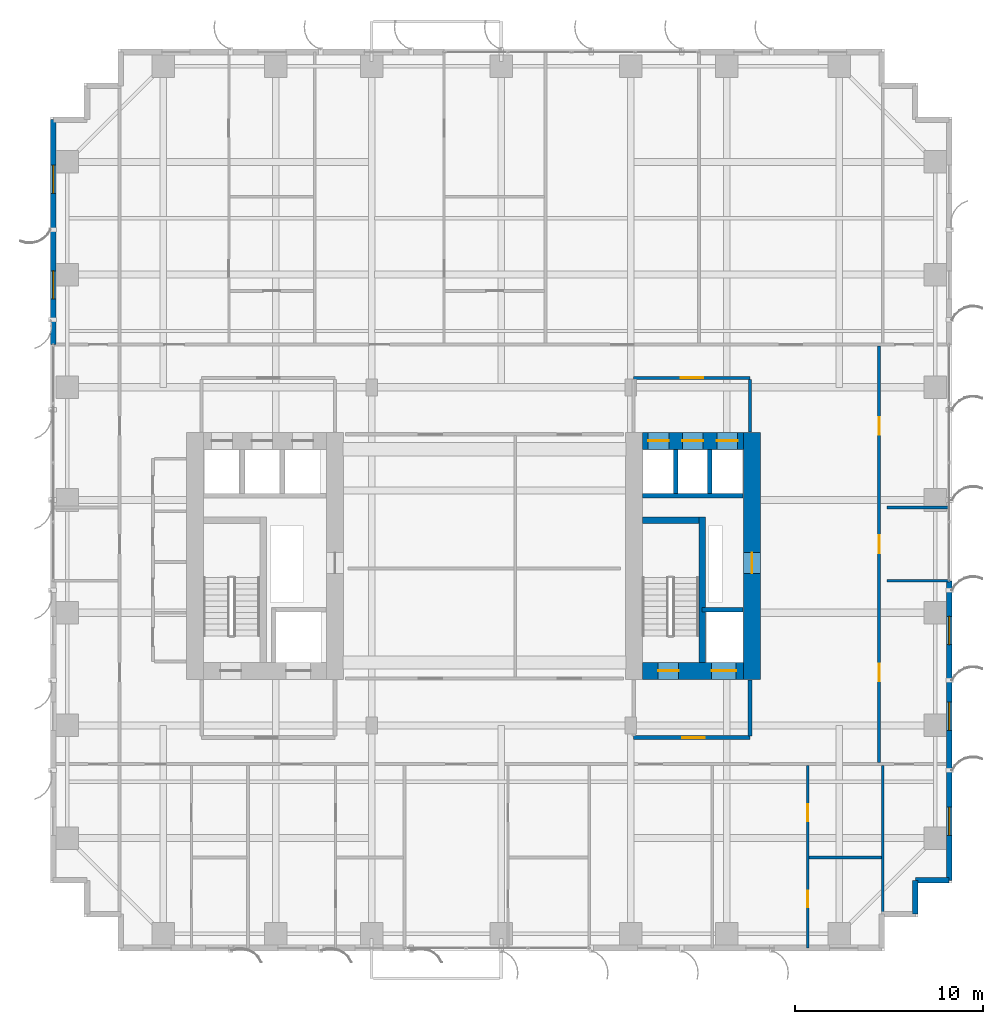
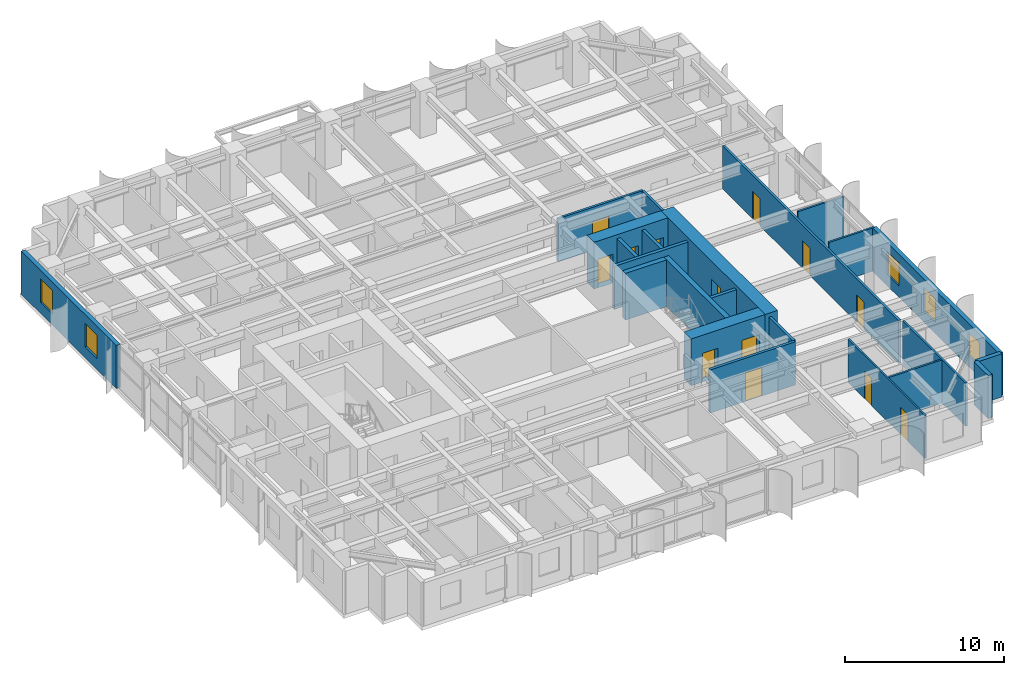
# One storey, part 17 of 22: 23 walls, 13 doors, 5 windows, 18 openings.
"""IFC4 building model written with IfcOpenShell, lengths in metres."""

from ifc_helpers import new_model, si_unit, direction, frame, frame_2d, origin, place, context, subcontext, project, spatial, rectangle, extrude, source, transform, mapped, material, layer, layer_set, type_object, element, fill, save


model = new_model("IFC4")

# Units and contexts
model_context = context("Model", 3, precision=1e-05, world=origin(), true_north=direction((0.0, 1.0)))
body_context = subcontext(model_context, "Body", "Model", "MODEL_VIEW")
ifc_project = project(units=[si_unit("LENGTHUNIT", "METRE"), si_unit("AREAUNIT", "SQUARE_METRE"), si_unit("VOLUMEUNIT", "CUBIC_METRE"), si_unit("PLANEANGLEUNIT", "RADIAN"), si_unit("MASSUNIT", "GRAM", prefix="KILO")], contexts=[model_context])

# Site, building, storey
site_placement = place(None, origin())
site = spatial("IfcSite", under=ifc_project, at=site_placement, CompositionType="ELEMENT")
building_placement = place(site_placement, origin())
building = spatial("IfcBuilding", under=site, at=building_placement, Name="Khoralis Quay Care Tower", CompositionType="ELEMENT")
storey_placement = place(building_placement, frame((0.0, 0.0, 44.10009765625)))
storey = spatial("IfcBuildingStorey", under=building, at=storey_placement, Name="L11", CompositionType="ELEMENT", Elevation=44.10009765625)

# Wall, opening, door
ifc_material_1 = material(Name="Gypsum plasterboard on acoustic metal stud")
ifc_layer_1 = layer(ifc_material_1, 0.199951171875)
ifc_layer_set_1 = layer_set([ifc_layer_1], Name="Gypsum plasterboard on acoustic metal stud")
wall_type_1 = type_object("IfcWallType", Name="WL-COMP-200", PredefinedType="PARTITIONING", material=ifc_layer_set_1)
wall_1_placement = place(storey_placement, frame((31.050048828125, 11.35009765625, 0.0), z_axis=(0.0, 0.0, 1.0), x_axis=(1.0, 0.0, 0.0)))
wall_1 = element("IfcWall", 1, at=wall_1_placement, inside=storey, type_object=wall_type_1, Name="L11 East Firefighting Lobby South Wall", PredefinedType="PARTITIONING", context=body_context, shape_type="SweptSolid", body=[
    extrude(rectangle(XDim=6.199951171875, YDim=0.199951171875, at=frame_2d((3.10009765625, 0.0))), origin(), (0.0, 0.0, 1.0), 3.31982421875),
])
opening_1_placement = place(wall_1_placement, frame((2.585693359375, 0.0, 0.0)))
opening_1 = element("IfcOpeningElement", 2, at=opening_1_placement, cuts=wall_1, Name="Opening FD1", PredefinedType="OPENING", context=body_context, shape_type="SweptSolid", body=[
    extrude(rectangle(XDim=1.199951171875, YDim=2.199951171875, at=frame_2d((0.60009765625, 1.10009765625))), frame((0.0, 0.10986328125, 0.0), z_axis=(0.0, -1.0, 0.0), x_axis=(1.0, 0.0, 0.0)), (0.0, 0.0, 1.0), 0.219970703125),
])
ifc_material_2 = material(Name="Fire-rated painted steel", Category="steel")
door_type_1 = type_object("IfcDoorType", Name="DR-FFL-1200X2200", OperationType="NOTDEFINED", PredefinedType="DOOR", material=ifc_material_2)
shared_shape_1 = source(origin(), body_context, "Body", "SweptSolid", [
    extrude(rectangle(XDim=1.199951171875, YDim=2.199951171875, at=frame_2d((0.60009765625, 1.10009765625))), frame((0.0, 0.02490234375, 0.0), z_axis=(0.0, -1.0, 0.0), x_axis=(1.0, 0.0, 0.0)), (0.0, 0.0, 1.0), 0.050048828125),
])
door_1_placement = place(opening_1_placement, origin())
door_1 = element("IfcDoor", 3, at=door_1_placement, inside=storey, type_object=door_type_1, Name="L11 East Firefighting Lobby Fire Door", OperationType="SINGLE_SWING_RIGHT", OverallHeight=2.199951171875, OverallWidth=1.199951171875, PredefinedType="DOOR", context=body_context, shape_type="MappedRepresentation", body=[
    mapped(shared_shape_1, transform((0.0, 0.0, 0.0), scale=1.0)),
])
fill(opening_1, door_1)

# Wall
wall_2_placement = place(storey_placement, frame((37.25, 11.445068359375, 0.0), z_axis=(0.0, 0.0, 1.0), x_axis=(0.0, 1.0, 0.0)))
element("IfcWall", 4, at=wall_2_placement, inside=storey, type_object=wall_type_1, Name="L11 East Firefighting Lobby East Wall", PredefinedType="PARTITIONING", context=body_context, shape_type="SweptSolid", body=[
    extrude(rectangle(XDim=2.98486328125, YDim=0.199951171875, at=frame_2d((1.492431640625, 0.0))), origin(), (0.0, 0.0, 1.0), 3.31982421875),
])

# Wall, opening, door
ifc_material_3 = material(Name="Concrete C80/95", Category="concrete")
ifc_layer_2 = layer(ifc_material_3, 0.89990234375)
ifc_layer_set_2 = layer_set([ifc_layer_2], Name="Concrete C80/95")
wall_type_2 = type_object("IfcWallType", Name="WL-CORE-900", PredefinedType="SHEAR", material=ifc_layer_set_2)
wall_3_placement = place(storey_placement, frame((37.35009765625, 14.449951171875, 0.0), z_axis=(0.0, 0.0, 1.0), x_axis=(0.0, 1.0, 0.0)))
wall_3 = element("IfcWall", 5, at=wall_3_placement, inside=storey, type_object=wall_type_2, Name="L11 ECORE East Shear Wall", PredefinedType="SHEAR", context=body_context, shape_type="SweptSolid", body=[
    extrude(rectangle(XDim=13.150146484375, YDim=0.89990234375, at=frame_2d((6.5751953125, 0.0))), origin(), (0.0, 0.0, 1.0), 3.599853515625),
])
opening_2_placement = place(wall_3_placement, frame((5.64990234375, 0.0, 0.0)))
opening_2 = element("IfcOpeningElement", 6, at=opening_2_placement, cuts=wall_3, Name="Opening SD1", PredefinedType="OPENING", context=body_context, shape_type="SweptSolid", body=[
    extrude(rectangle(XDim=1.10009765625, YDim=2.199951171875, at=frame_2d((0.550048828125, 1.10009765625))), frame((0.0, 0.4599609375, 0.0), z_axis=(0.0, -1.0, 0.0), x_axis=(1.0, 0.0, 0.0)), (0.0, 0.0, 1.0), 0.919921875),
])
door_type_2 = type_object("IfcDoorType", Name="DR-STAIR-1100X2200", OperationType="NOTDEFINED", PredefinedType="DOOR", material=ifc_material_2)
shared_shape_2 = source(origin(), body_context, "Body", "SweptSolid", [
    extrude(rectangle(XDim=1.10009765625, YDim=2.199951171875, at=frame_2d((0.550048828125, 1.10009765625))), frame((0.0, 0.02490234375, 0.0), z_axis=(0.0, -1.0, 0.0), x_axis=(1.0, 0.0, 0.0)), (0.0, 0.0, 1.0), 0.050048828125),
])
door_2_placement = place(opening_2_placement, frame((1.10009765625, 0.0, 0.0), z_axis=(0.0, 0.0, 1.0), x_axis=(-1.0, 0.0, 0.0)))
door_2 = element("IfcDoor", 7, at=door_2_placement, inside=storey, type_object=door_type_2, Name="L11 East MEP Riser Door", OperationType="SINGLE_SWING_RIGHT", OverallHeight=2.199951171875, OverallWidth=1.10009765625, PredefinedType="DOOR", context=body_context, shape_type="MappedRepresentation", body=[
    mapped(shared_shape_2, transform((0.0, 0.0, 0.0), scale=1.0)),
])
fill(opening_2, door_2)

# Wall, openings, doors
wall_4_placement = place(storey_placement, frame((31.52001953125, 14.89990234375, 0.0), z_axis=(0.0, 0.0, 1.0), x_axis=(1.0, 0.0, 0.0)))
wall_4 = element("IfcWall", 8, at=wall_4_placement, inside=storey, type_object=wall_type_2, Name="L11 ECORE South Shear Wall", PredefinedType="SHEAR", context=body_context, shape_type="SweptSolid", body=[
    extrude(rectangle(XDim=5.3798828125, YDim=0.89990234375, at=frame_2d((2.68994140625, 0.0))), origin(), (0.0, 0.0, 1.0), 3.599853515625),
])
opening_3_placement = place(wall_4_placement, frame((0.830078125, 0.0, 0.0)))
opening_3 = element("IfcOpeningElement", 9, at=opening_3_placement, cuts=wall_4, Name="Opening SD1", PredefinedType="OPENING", context=body_context, shape_type="SweptSolid", body=[
    extrude(rectangle(XDim=1.10009765625, YDim=2.199951171875, at=frame_2d((0.550048828125, 1.10009765625))), frame((0.0, 0.4599609375, 0.0), z_axis=(0.0, -1.0, 0.0), x_axis=(1.0, 0.0, 0.0)), (0.0, 0.0, 1.0), 0.919921875),
])
opening_4_placement = place(wall_4_placement, frame((3.679931640625, 0.0, 0.0)))
opening_4 = element("IfcOpeningElement", 10, at=opening_4_placement, cuts=wall_4, Name="Opening LD2", PredefinedType="OPENING", context=body_context, shape_type="SweptSolid", body=[
    extrude(rectangle(XDim=1.300048828125, YDim=2.199951171875, at=frame_2d((0.64990234375, 1.10009765625))), frame((0.0, 0.4599609375, 0.0), z_axis=(0.0, -1.0, 0.0), x_axis=(1.0, 0.0, 0.0)), (0.0, 0.0, 1.0), 0.919921875),
])
door_3_placement = place(opening_3_placement, origin())
door_3 = element("IfcDoor", 11, at=door_3_placement, inside=storey, type_object=door_type_2, Name="L11 Stair ST-T2 Fire Door", OperationType="SINGLE_SWING_RIGHT", OverallHeight=2.199951171875, OverallWidth=1.10009765625, PredefinedType="DOOR", context=body_context, shape_type="MappedRepresentation", body=[
    mapped(shared_shape_2, transform((0.0, 0.0, 0.0), scale=1.0)),
])
fill(opening_3, door_3)
ifc_material_4 = material(Name="Brushed stainless steel", Category="steel")
door_type_3 = type_object("IfcDoorType", Name="DR-LIFT-1300X2200", OperationType="SLIDING_TO_RIGHT", PredefinedType="DOOR", material=ifc_material_4)
shared_shape_3 = source(origin(), body_context, "Body", "SweptSolid", [
    extrude(rectangle(XDim=1.300048828125, YDim=2.199951171875, at=frame_2d((0.64990234375, 1.10009765625))), frame((0.0, 0.02490234375, 0.0), z_axis=(0.0, -1.0, 0.0), x_axis=(1.0, 0.0, 0.0)), (0.0, 0.0, 1.0), 0.050048828125),
])
door_4_placement = place(opening_4_placement, origin())
door_4 = element("IfcDoor", 12, at=door_4_placement, inside=storey, type_object=door_type_3, Name="L11 Firefighting Lift FFL-2 Landing Door", OperationType="SLIDING_TO_RIGHT", OverallHeight=2.199951171875, OverallWidth=1.300048828125, PredefinedType="DOOR", context=body_context, shape_type="MappedRepresentation", body=[
    mapped(shared_shape_3, transform((0.0, 0.0, 0.0), scale=1.0)),
])
fill(opening_4, door_4)

wall_5_placement = place(storey_placement, frame((31.52001953125, 27.14990234375, 0.0), z_axis=(0.0, 0.0, 1.0), x_axis=(1.0, 0.0, 0.0)))
wall_5 = element("IfcWall", 13, at=wall_5_placement, inside=storey, type_object=wall_type_2, Name="L11 ECORE North Shear Wall", PredefinedType="SHEAR", context=body_context, shape_type="SweptSolid", body=[
    extrude(rectangle(XDim=5.3798828125, YDim=0.89990234375, at=frame_2d((2.68994140625, 0.0))), origin(), (0.0, 0.0, 1.0), 3.599853515625),
])
opening_5_placement = place(wall_5_placement, frame((0.300048828125, 0.0, 0.0)))
opening_5 = element("IfcOpeningElement", 14, at=opening_5_placement, cuts=wall_5, Name="Opening LD1", PredefinedType="OPENING", context=body_context, shape_type="SweptSolid", body=[
    extrude(rectangle(XDim=1.10009765625, YDim=2.199951171875, at=frame_2d((0.550048828125, 1.10009765625))), frame((0.0, 0.4599609375, 0.0), z_axis=(0.0, -1.0, 0.0), x_axis=(1.0, 0.0, 0.0)), (0.0, 0.0, 1.0), 0.919921875),
])
opening_6_placement = place(wall_5_placement, frame((2.1298828125, 0.0, 0.0)))
opening_6 = element("IfcOpeningElement", 15, at=opening_6_placement, cuts=wall_5, Name="Opening LD1", PredefinedType="OPENING", context=body_context, shape_type="SweptSolid", body=[
    extrude(rectangle(XDim=1.10009765625, YDim=2.199951171875, at=frame_2d((0.550048828125, 1.10009765625))), frame((0.0, 0.4599609375, 0.0), z_axis=(0.0, -1.0, 0.0), x_axis=(1.0, 0.0, 0.0)), (0.0, 0.0, 1.0), 0.919921875),
])
opening_7_placement = place(wall_5_placement, frame((3.9599609375, 0.0, 0.0)))
opening_7 = element("IfcOpeningElement", 16, at=opening_7_placement, cuts=wall_5, Name="Opening LD1", PredefinedType="OPENING", context=body_context, shape_type="SweptSolid", body=[
    extrude(rectangle(XDim=1.10009765625, YDim=2.199951171875, at=frame_2d((0.550048828125, 1.10009765625))), frame((0.0, 0.4599609375, 0.0), z_axis=(0.0, -1.0, 0.0), x_axis=(1.0, 0.0, 0.0)), (0.0, 0.0, 1.0), 0.919921875),
])
door_type_4 = type_object("IfcDoorType", Name="DR-LIFT-1100X2200", OperationType="SLIDING_TO_LEFT", PredefinedType="DOOR", material=ifc_material_4)
shared_shape_4 = source(origin(), body_context, "Body", "SweptSolid", [
    extrude(rectangle(XDim=1.10009765625, YDim=2.199951171875, at=frame_2d((0.550048828125, 1.10009765625))), frame((0.0, 0.02490234375, 0.0), z_axis=(0.0, -1.0, 0.0), x_axis=(1.0, 0.0, 0.0)), (0.0, 0.0, 1.0), 0.050048828125),
])
door_5_placement = place(opening_5_placement, origin())
door_5 = element("IfcDoor", 17, at=door_5_placement, inside=storey, type_object=door_type_4, Name="L11 Lift PLL2 Landing Door", OperationType="SLIDING_TO_LEFT", OverallHeight=2.199951171875, OverallWidth=1.10009765625, PredefinedType="DOOR", context=body_context, shape_type="MappedRepresentation", body=[
    mapped(shared_shape_4, transform((0.0, 0.0, 0.0), scale=1.0)),
])
fill(opening_5, door_5)
door_6_placement = place(opening_6_placement, origin())
door_6 = element("IfcDoor", 18, at=door_6_placement, inside=storey, type_object=door_type_4, Name="L11 Lift PLM2 Landing Door", OperationType="SLIDING_TO_LEFT", OverallHeight=2.199951171875, OverallWidth=1.10009765625, PredefinedType="DOOR", context=body_context, shape_type="MappedRepresentation", body=[
    mapped(shared_shape_4, transform((0.0, 0.0, 0.0), scale=1.0)),
])
fill(opening_6, door_6)
door_7_placement = place(opening_7_placement, origin())
door_7 = element("IfcDoor", 19, at=door_7_placement, inside=storey, type_object=door_type_4, Name="L11 Lift PLH2 Landing Door", OperationType="SLIDING_TO_LEFT", OverallHeight=2.199951171875, OverallWidth=1.10009765625, PredefinedType="DOOR", context=body_context, shape_type="MappedRepresentation", body=[
    mapped(shared_shape_4, transform((0.0, 0.0, 0.0), scale=1.0)),
])
fill(opening_7, door_7)

# Wall, opening, door
ifc_layer_3 = layer(ifc_material_1, 0.1650390625)
ifc_layer_set_3 = layer_set([ifc_layer_3], Name="Gypsum plasterboard on acoustic metal stud")
wall_type_3 = type_object("IfcWallType", Name="WL-CORR-165", PredefinedType="PARTITIONING", material=ifc_layer_set_3)
wall_6_placement = place(storey_placement, frame((31.050048828125, 30.5, 0.0), z_axis=(0.0, 0.0, 1.0), x_axis=(1.0, 0.0, 0.0)))
wall_6 = element("IfcWall", 20, at=wall_6_placement, inside=storey, type_object=wall_type_3, Name="L11 East Lift Lobby North Wall", PredefinedType="PARTITIONING", context=body_context, shape_type="SweptSolid", body=[
    extrude(rectangle(XDim=6.199951171875, YDim=0.1650390625, at=frame_2d((3.10009765625, 0.0))), origin(), (0.0, 0.0, 1.0), 3.31982421875),
])
opening_8_placement = place(wall_6_placement, frame((2.5, 0.0, 0.0)))
opening_8 = element("IfcOpeningElement", 21, at=opening_8_placement, cuts=wall_6, Name="Opening FD1", PredefinedType="OPENING", context=body_context, shape_type="SweptSolid", body=[
    extrude(rectangle(XDim=1.199951171875, YDim=2.199951171875, at=frame_2d((0.60009765625, 1.10009765625))), frame((0.0, 0.092529296875, 0.0), z_axis=(0.0, -1.0, 0.0), x_axis=(1.0, 0.0, 0.0)), (0.0, 0.0, 1.0), 0.18505859375),
])
door_8_placement = place(opening_8_placement, origin())
door_8 = element("IfcDoor", 22, at=door_8_placement, inside=storey, type_object=door_type_1, Name="L11 East Lift Lobby Double Door", OperationType="DOUBLE_DOOR_SINGLE_SWING", OverallHeight=2.199951171875, OverallWidth=1.199951171875, PredefinedType="DOOR", context=body_context, shape_type="MappedRepresentation", body=[
    mapped(shared_shape_1, transform((0.0, 0.0, 0.0), scale=1.0)),
])
fill(opening_8, door_8)

# Wall
wall_7_placement = place(storey_placement, frame((37.25, 27.6201171875, 0.0), z_axis=(0.0, 0.0, 1.0), x_axis=(0.0, 1.0, 0.0)))
element("IfcWall", 23, at=wall_7_placement, inside=storey, type_object=wall_type_3, Name="L11 East Lift Lobby East Wall", PredefinedType="PARTITIONING", context=body_context, shape_type="SweptSolid", body=[
    extrude(rectangle(XDim=2.802490234375, YDim=0.1650390625, at=frame_2d((1.4013671875, 0.0))), origin(), (0.0, 0.0, 1.0), 3.31982421875),
])

# Wall, openings, doors
wall_8_placement = place(storey_placement, frame((44.1201171875, 10.017578125, 0.0), z_axis=(0.0, 0.0, 1.0), x_axis=(0.0, 1.0, 0.0)))
wall_8 = element("IfcWall", 24, at=wall_8_placement, inside=storey, type_object=wall_type_3, Name="L11 East Loop Corridor Wall", PredefinedType="PARTITIONING", context=body_context, shape_type="SweptSolid", body=[
    extrude(rectangle(XDim=22.184814453125, YDim=0.1650390625, at=frame_2d((11.09228515625, 0.0))), origin(), (0.0, 0.0, 1.0), 3.31982421875),
])
opening_9_placement = place(wall_8_placement, frame((4.327392578125, 0.0, 0.0)))
opening_9 = element("IfcOpeningElement", 25, at=opening_9_placement, cuts=wall_8, Name="Opening ID1", PredefinedType="OPENING", context=body_context, shape_type="SweptSolid", body=[
    extrude(rectangle(XDim=0.949951171875, YDim=2.10009765625, at=frame_2d((0.47509765625, 1.050048828125))), frame((0.0, 0.092529296875, 0.0), z_axis=(0.0, -1.0, 0.0), x_axis=(1.0, 0.0, 0.0)), (0.0, 0.0, 1.0), 0.18505859375),
])
opening_10_placement = place(wall_8_placement, frame((11.157470703125, 0.0, 0.0)))
opening_10 = element("IfcOpeningElement", 26, at=opening_10_placement, cuts=wall_8, Name="Opening ID1", PredefinedType="OPENING", context=body_context, shape_type="SweptSolid", body=[
    extrude(rectangle(XDim=0.949951171875, YDim=2.10009765625, at=frame_2d((0.47509765625, 1.050048828125))), frame((0.0, 0.092529296875, 0.0), z_axis=(0.0, -1.0, 0.0), x_axis=(1.0, 0.0, 0.0)), (0.0, 0.0, 1.0), 0.18505859375),
])
opening_11_placement = place(wall_8_placement, frame((17.447509765625, 0.0, 0.0)))
opening_11 = element("IfcOpeningElement", 27, at=opening_11_placement, cuts=wall_8, Name="Opening ID1", PredefinedType="OPENING", context=body_context, shape_type="SweptSolid", body=[
    extrude(rectangle(XDim=0.949951171875, YDim=2.10009765625, at=frame_2d((0.47509765625, 1.050048828125))), frame((0.0, 0.092529296875, 0.0), z_axis=(0.0, -1.0, 0.0), x_axis=(1.0, 0.0, 0.0)), (0.0, 0.0, 1.0), 0.18505859375),
])
ifc_material_5 = material(Name="Acoustic hardwood timber", Category="wood")
door_type_5 = type_object("IfcDoorType", Name="DR-ROOM-950X2100", OperationType="NOTDEFINED", PredefinedType="DOOR", material=ifc_material_5)
shared_shape_5 = source(origin(), body_context, "Body", "SweptSolid", [
    extrude(rectangle(XDim=0.949951171875, YDim=2.10009765625, at=frame_2d((0.47509765625, 1.050048828125))), frame((0.0, 0.02490234375, 0.0), z_axis=(0.0, -1.0, 0.0), x_axis=(1.0, 0.0, 0.0)), (0.0, 0.0, 1.0), 0.050048828125),
])
door_9_placement = place(opening_9_placement, frame((0.949951171875, 0.0, 0.0), z_axis=(0.0, 0.0, 1.0), x_axis=(-1.0, 0.0, 0.0)))
door_9 = element("IfcDoor", 28, at=door_9_placement, inside=storey, type_object=door_type_5, Name="L11 Therapy Consultation Room Door", OperationType="SINGLE_SWING_LEFT", OverallHeight=2.10009765625, OverallWidth=0.949951171875, PredefinedType="DOOR", context=body_context, shape_type="MappedRepresentation", body=[
    mapped(shared_shape_5, transform((0.0, 0.0, 0.0), scale=1.0)),
])
fill(opening_9, door_9)
door_10_placement = place(opening_10_placement, frame((0.949951171875, 0.0, 0.0), z_axis=(0.0, 0.0, 1.0), x_axis=(-1.0, 0.0, 0.0)))
door_10 = element("IfcDoor", 29, at=door_10_placement, inside=storey, type_object=door_type_5, Name="L11 Assisted Activity Lounge Door", OperationType="SINGLE_SWING_RIGHT", OverallHeight=2.10009765625, OverallWidth=0.949951171875, PredefinedType="DOOR", context=body_context, shape_type="MappedRepresentation", body=[
    mapped(shared_shape_5, transform((0.0, 0.0, 0.0), scale=1.0)),
])
fill(opening_10, door_10)
door_11_placement = place(opening_11_placement, frame((0.949951171875, 0.0, 0.0), z_axis=(0.0, 0.0, 1.0), x_axis=(-1.0, 0.0, 0.0)))
door_11 = element("IfcDoor", 30, at=door_11_placement, inside=storey, type_object=door_type_5, Name="L11 Nurse Charting Office Door", OperationType="SINGLE_SWING_LEFT", OverallHeight=2.10009765625, OverallWidth=0.949951171875, PredefinedType="DOOR", context=body_context, shape_type="MappedRepresentation", body=[
    mapped(shared_shape_5, transform((0.0, 0.0, 0.0), scale=1.0)),
])
fill(opening_11, door_11)

# Walls
ifc_material_6 = material(Name="Precast concrete C45/55", Category="concrete")
ifc_layer_4 = layer(ifc_material_6, 0.300048828125)
ifc_layer_set_4 = layer_set([ifc_layer_4], Name="Precast concrete C45/55")
wall_type_4 = type_object("IfcWallType", Name="WL-EXT-REF-300", PredefinedType="SOLIDWALL", material=ifc_layer_set_4)
for number, where, z_axis, x_axis, name in (
    (31, (46.050048828125, 1.949951171875, 0.0), (0.0, 0.0, 1.0), (0.0, 1.0, 0.0), "L11 External Facade Wall WL-EXT-L11-P1-C3"),
    (32, (46.050048828125, 3.75, 0.0), (0.0, 0.0, 1.0), (1.0, 0.0, 0.0), "L11 External Facade Wall WL-EXT-L11-P1-C4"),
):
    element("IfcWall", number, at=place(storey_placement, frame(where, z_axis=z_axis, x_axis=x_axis)), inside=storey, type_object=wall_type_4, Name=name, PredefinedType="SOLIDWALL", context=body_context, shape_type="SweptSolid", body=[
        extrude(rectangle(XDim=1.800048828125, YDim=0.300048828125, at=frame_2d((0.89990234375, 0.0))), origin(), (0.0, 0.0, 1.0), 3.31982421875),
    ])

# Wall, openings, windows
wall_9_placement = place(storey_placement, frame((47.85009765625, 3.75, 0.0), z_axis=(0.0, 0.0, 1.0), x_axis=(0.0, 1.0, 0.0)))
wall_9 = element("IfcWall", 33, at=wall_9_placement, inside=storey, type_object=wall_type_4, Name="L11 External Facade Wall WL-EXT-L11-P1-E5A", PredefinedType="SOLIDWALL", context=body_context, shape_type="SweptSolid", body=[
    extrude(rectangle(XDim=15.949951171875, YDim=0.300048828125, at=frame_2d((7.97509765625, 0.0))), origin(), (0.0, 0.0, 1.0), 3.31982421875),
])
opening_12_placement = place(wall_9_placement, frame((2.39501953125, 0.0, 0.85009765625)))
opening_12 = element("IfcOpeningElement", 34, at=opening_12_placement, cuts=wall_9, Name="Opening W3", PredefinedType="OPENING", context=body_context, shape_type="SweptSolid", body=[
    extrude(rectangle(XDim=1.5, YDim=1.800048828125, at=frame_2d((0.75, 0.89990234375))), frame((0.0, 0.16015625, 0.0), z_axis=(0.0, -1.0, 0.0), x_axis=(1.0, 0.0, 0.0)), (0.0, 0.0, 1.0), 0.320068359375),
])
opening_13_placement = place(wall_9_placement, frame((7.985107421875, 0.0, 0.85009765625)))
opening_13 = element("IfcOpeningElement", 35, at=opening_13_placement, cuts=wall_9, Name="Opening W3", PredefinedType="OPENING", context=body_context, shape_type="SweptSolid", body=[
    extrude(rectangle(XDim=1.5, YDim=1.800048828125, at=frame_2d((0.75, 0.89990234375))), frame((0.0, 0.16015625, 0.0), z_axis=(0.0, -1.0, 0.0), x_axis=(1.0, 0.0, 0.0)), (0.0, 0.0, 1.0), 0.320068359375),
])
opening_14_placement = place(wall_9_placement, frame((12.554931640625, 0.0, 0.85009765625)))
opening_14 = element("IfcOpeningElement", 36, at=opening_14_placement, cuts=wall_9, Name="Opening W3", PredefinedType="OPENING", context=body_context, shape_type="SweptSolid", body=[
    extrude(rectangle(XDim=1.5, YDim=1.800048828125, at=frame_2d((0.75, 0.89990234375))), frame((0.0, 0.16015625, 0.0), z_axis=(0.0, -1.0, 0.0), x_axis=(1.0, 0.0, 0.0)), (0.0, 0.0, 1.0), 0.320068359375),
])
ifc_material_7 = material(Name="Low-E solar-control double glazing", Category="glass")
window_type = type_object("IfcWindowType", Name="WN-CLIN-1500X1800", PartitioningType="SINGLE_PANEL", PredefinedType="WINDOW", material=ifc_material_7)
shared_shape_6 = source(origin(), body_context, "Body", "SweptSolid", [
    extrude(rectangle(XDim=1.5, YDim=1.800048828125, at=frame_2d((0.75, 0.89990234375))), frame((0.0, 0.030029296875, 0.0), z_axis=(0.0, -1.0, 0.0), x_axis=(1.0, 0.0, 0.0)), (0.0, 0.0, 1.0), 0.06005859375),
])
window_1_placement = place(opening_12_placement, origin())
window_1 = element("IfcWindow", 37, at=window_1_placement, inside=storey, type_object=window_type, Name="WN-L11-P1-E5A Facade Window 01", OverallHeight=1.800048828125, OverallWidth=1.5, PartitioningType="SINGLE_PANEL", PredefinedType="WINDOW", context=body_context, shape_type="MappedRepresentation", body=[
    mapped(shared_shape_6, transform((0.0, 0.0, 0.0), scale=1.0)),
])
fill(opening_12, window_1)
window_2_placement = place(opening_13_placement, origin())
window_2 = element("IfcWindow", 38, at=window_2_placement, inside=storey, type_object=window_type, Name="WN-L11-P1-E5A Facade Window 02", OverallHeight=1.800048828125, OverallWidth=1.5, PartitioningType="SINGLE_PANEL", PredefinedType="WINDOW", context=body_context, shape_type="MappedRepresentation", body=[
    mapped(shared_shape_6, transform((0.0, 0.0, 0.0), scale=1.0)),
])
fill(opening_13, window_2)
window_3_placement = place(opening_14_placement, origin())
window_3 = element("IfcWindow", 39, at=window_3_placement, inside=storey, type_object=window_type, Name="WN-L11-P1-E5A Facade Window 03", OverallHeight=1.800048828125, OverallWidth=1.5, PartitioningType="SINGLE_PANEL", PredefinedType="WINDOW", context=body_context, shape_type="MappedRepresentation", body=[
    mapped(shared_shape_6, transform((0.0, 0.0, 0.0), scale=1.0)),
])
fill(opening_14, window_3)

wall_10_placement = place(storey_placement, frame((0.14990234375, 44.25, 0.0), z_axis=(0.0, 0.0, 1.0), x_axis=(0.0, -1.0, 0.0)))
wall_10 = element("IfcWall", 40, at=wall_10_placement, inside=storey, type_object=wall_type_4, Name="L11 External Facade Wall WL-EXT-L11-P1-E15A", PredefinedType="SOLIDWALL", context=body_context, shape_type="SweptSolid", body=[
    extrude(rectangle(XDim=11.969970703125, YDim=0.300048828125, at=frame_2d((5.98486328125, 0.0))), origin(), (0.0, 0.0, 1.0), 3.31982421875),
])
opening_15_placement = place(wall_10_placement, frame((2.422607421875, 0.0, 0.85009765625)))
opening_15 = element("IfcOpeningElement", 41, at=opening_15_placement, cuts=wall_10, Name="Opening W3", PredefinedType="OPENING", context=body_context, shape_type="SweptSolid", body=[
    extrude(rectangle(XDim=1.5, YDim=1.800048828125, at=frame_2d((0.75, 0.89990234375))), frame((0.0, 0.16015625, 0.0), z_axis=(0.0, -1.0, 0.0), x_axis=(1.0, 0.0, 0.0)), (0.0, 0.0, 1.0), 0.320068359375),
])
opening_16_placement = place(wall_10_placement, frame((8.047607421875, 0.0, 0.85009765625)))
opening_16 = element("IfcOpeningElement", 42, at=opening_16_placement, cuts=wall_10, Name="Opening W3", PredefinedType="OPENING", context=body_context, shape_type="SweptSolid", body=[
    extrude(rectangle(XDim=1.5, YDim=1.800048828125, at=frame_2d((0.75, 0.89990234375))), frame((0.0, 0.16015625, 0.0), z_axis=(0.0, -1.0, 0.0), x_axis=(1.0, 0.0, 0.0)), (0.0, 0.0, 1.0), 0.320068359375),
])
window_4_placement = place(opening_15_placement, origin())
window_4 = element("IfcWindow", 43, at=window_4_placement, inside=storey, type_object=window_type, Name="WN-L11-P1-E15A Facade Window 01", OverallHeight=1.800048828125, OverallWidth=1.5, PartitioningType="SINGLE_PANEL", PredefinedType="WINDOW", context=body_context, shape_type="MappedRepresentation", body=[
    mapped(shared_shape_6, transform((0.0, 0.0, 0.0), scale=1.0)),
])
fill(opening_15, window_4)
window_5_placement = place(opening_16_placement, origin())
window_5 = element("IfcWindow", 44, at=window_5_placement, inside=storey, type_object=window_type, Name="WN-L11-P1-E15A Facade Window 02", OverallHeight=1.800048828125, OverallWidth=1.5, PartitioningType="SINGLE_PANEL", PredefinedType="WINDOW", context=body_context, shape_type="MappedRepresentation", body=[
    mapped(shared_shape_6, transform((0.0, 0.0, 0.0), scale=1.0)),
])
fill(opening_16, window_5)

# Wall, openings, doors
ifc_layer_5 = layer(ifc_material_1, 0.114990234375)
ifc_layer_set_5 = layer_set([ifc_layer_5], Name="Gypsum plasterboard on acoustic metal stud")
wall_type_5 = type_object("IfcWallType", Name="WL-PART-115", PredefinedType="PARTITIONING", material=ifc_layer_set_5)
wall_11_placement = place(storey_placement, frame((40.320068359375, 0.14501953125, 0.0), z_axis=(0.0, 0.0, 1.0), x_axis=(0.0, 1.0, 0.0)))
wall_11 = element("IfcWall", 45, at=wall_11_placement, inside=storey, type_object=wall_type_5, Name="L11 Studio 4 Internal Wall", PredefinedType="PARTITIONING", context=body_context, shape_type="SweptSolid", body=[
    extrude(rectangle(XDim=9.717529296875, YDim=0.114990234375, at=frame_2d((4.85888671875, 0.0))), origin(), (0.0, 0.0, 1.0), 3.31982421875),
])
opening_17_placement = place(wall_11_placement, frame((2.1650390625, 0.0, 0.0)))
opening_17 = element("IfcOpeningElement", 46, at=opening_17_placement, cuts=wall_11, Name="Opening WD1", PredefinedType="OPENING", context=body_context, shape_type="SweptSolid", body=[
    extrude(rectangle(XDim=0.89990234375, YDim=2.10009765625, at=frame_2d((0.449951171875, 1.050048828125))), frame((0.0, 0.0673828125, 0.0), z_axis=(0.0, -1.0, 0.0), x_axis=(1.0, 0.0, 0.0)), (0.0, 0.0, 1.0), 0.135009765625),
])
opening_18_placement = place(wall_11_placement, frame((6.7451171875, 0.0, 0.0)))
opening_18 = element("IfcOpeningElement", 47, at=opening_18_placement, cuts=wall_11, Name="Opening WD1", PredefinedType="OPENING", context=body_context, shape_type="SweptSolid", body=[
    extrude(rectangle(XDim=0.89990234375, YDim=2.10009765625, at=frame_2d((0.449951171875, 1.050048828125))), frame((0.0, 0.0673828125, 0.0), z_axis=(0.0, -1.0, 0.0), x_axis=(1.0, 0.0, 0.0)), (0.0, 0.0, 1.0), 0.135009765625),
])
door_type_6 = type_object("IfcDoorType", Name="DR-BATH-900X2100", OperationType="NOTDEFINED", PredefinedType="DOOR", material=ifc_material_5)
shared_shape_7 = source(origin(), body_context, "Body", "SweptSolid", [
    extrude(rectangle(XDim=0.89990234375, YDim=2.10009765625, at=frame_2d((0.449951171875, 1.050048828125))), frame((0.0, 0.02490234375, 0.0), z_axis=(0.0, -1.0, 0.0), x_axis=(1.0, 0.0, 0.0)), (0.0, 0.0, 1.0), 0.050048828125),
])
door_12_placement = place(opening_17_placement, frame((0.89990234375, 0.0, 0.0), z_axis=(0.0, 0.0, 1.0), x_axis=(-1.0, 0.0, 0.0)))
door_12 = element("IfcDoor", 48, at=door_12_placement, inside=storey, type_object=door_type_6, Name="L11 Studio SKT Door", OperationType="SINGLE_SWING_RIGHT", OverallHeight=2.10009765625, OverallWidth=0.89990234375, PredefinedType="DOOR", context=body_context, shape_type="MappedRepresentation", body=[
    mapped(shared_shape_7, transform((0.0, 0.0, 0.0), scale=1.0)),
])
fill(opening_17, door_12)
door_13_placement = place(opening_18_placement, frame((0.89990234375, 0.0, 0.0), z_axis=(0.0, 0.0, 1.0), x_axis=(-1.0, 0.0, 0.0)))
door_13 = element("IfcDoor", 49, at=door_13_placement, inside=storey, type_object=door_type_6, Name="L11 Studio SBH Door", OperationType="SINGLE_SWING_LEFT", OverallHeight=2.10009765625, OverallWidth=0.89990234375, PredefinedType="DOOR", context=body_context, shape_type="MappedRepresentation", body=[
    mapped(shared_shape_7, transform((0.0, 0.0, 0.0), scale=1.0)),
])
fill(opening_18, door_13)

# Walls
ifc_material_8 = material(Name="Moisture-resistant gypsum and ceramic tile")
ifc_layer_6 = layer(ifc_material_8, 0.280029296875)
ifc_layer_set_6 = layer_set([ifc_layer_6], Name="Moisture-resistant gypsum and ceramic tile")
wall_type_6 = type_object("IfcWallType", Name="WL-PLUMB-280", PredefinedType="PLUMBINGWALL", material=ifc_layer_set_6)
wall_12_placement = place(storey_placement, frame((40.37255859375, 4.969970703125, 0.0), z_axis=(0.0, 0.0, 1.0), x_axis=(1.0, 0.0, 0.0)))
element("IfcWall", 50, at=wall_12_placement, inside=storey, type_object=wall_type_6, Name="L11 Studio 4 Wet Split", PredefinedType="PLUMBINGWALL", context=body_context, shape_type="SweptSolid", body=[
    extrude(rectangle(XDim=3.88232421875, YDim=0.139892578125, at=frame_2d((1.941162109375, 0.0))), origin(), (0.0, 0.0, 1.0), 3.31982421875),
])
ifc_material_9 = material(Name="Concrete C40/50", Category="concrete")
ifc_layer_7 = layer(ifc_material_9, 0.35009765625)
ifc_layer_set_7 = layer_set([ifc_layer_7], Name="Concrete C40/50")
wall_type_7 = type_object("IfcWallType", Name="WL-SC-CORE-350", PredefinedType="SHEAR", material=ifc_layer_set_7)
wall_13_placement = place(storey_placement, frame((34.695068359375, 15.35009765625, 0.0), z_axis=(0.0, 0.0, 1.0), x_axis=(0.0, 1.0, 0.0)))
element("IfcWall", 51, at=wall_13_placement, inside=storey, type_object=wall_type_7, Name="L11 Stair ST-T2 Shear Baffle Wall East", PredefinedType="SHEAR", context=body_context, shape_type="SweptSolid", body=[
    extrude(rectangle(XDim=7.75, YDim=0.35009765625, at=frame_2d((3.875, 0.0))), origin(), (0.0, 0.0, 1.0), 3.599853515625),
])
wall_14_placement = place(storey_placement, frame((31.52001953125, 22.925048828125, 0.0), z_axis=(0.0, 0.0, 1.0), x_axis=(1.0, 0.0, 0.0)))
element("IfcWall", 52, at=wall_14_placement, inside=storey, type_object=wall_type_7, Name="L11 Stair ST-T2 Shear Baffle Wall North", PredefinedType="SHEAR", context=body_context, shape_type="SweptSolid", body=[
    extrude(rectangle(XDim=3.0, YDim=0.35009765625, at=frame_2d((1.5, 0.0))), origin(), (0.0, 0.0, 1.0), 3.599853515625),
])
ifc_layer_8 = layer(ifc_material_1, 0.239990234375)
ifc_layer_set_8 = layer_set([ifc_layer_8], Name="Gypsum plasterboard on acoustic metal stud")
wall_type_8 = type_object("IfcWallType", Name="WL-SHAFT-240", PredefinedType="PARTITIONING", material=ifc_layer_set_8)
wall_15_placement = place(storey_placement, frame((34.679931640625, 18.169921875, 0.0), z_axis=(0.0, 0.0, 1.0), x_axis=(1.0, 0.0, 0.0)))
element("IfcWall", 53, at=wall_15_placement, inside=storey, type_object=wall_type_8, Name="L11 FFL-2 Shaft Wall North", PredefinedType="PARTITIONING", context=body_context, shape_type="SweptSolid", body=[
    extrude(rectangle(XDim=2.199951171875, YDim=0.239990234375, at=frame_2d((1.10009765625, 0.0))), origin(), (0.0, 0.0, 1.0), 3.31982421875),
])
wall_16_placement = place(storey_placement, frame((31.52001953125, 24.22998046875, 0.0), z_axis=(0.0, 0.0, 1.0), x_axis=(1.0, 0.0, 0.0)))
element("IfcWall", 54, at=wall_16_placement, inside=storey, type_object=wall_type_8, Name="L11 East Passenger Shaft South Wall", PredefinedType="PARTITIONING", context=body_context, shape_type="SweptSolid", body=[
    extrude(rectangle(XDim=5.35986328125, YDim=0.239990234375, at=frame_2d((2.679931640625, 0.0))), origin(), (0.0, 0.0, 1.0), 3.31982421875),
])
for number, where, z_axis, x_axis, name in (
    (55, (33.2900390625, 24.344970703125, 0.0), (0.0, 0.0, 1.0), (0.0, 1.0, 0.0), "L11 East Shaft Divider 1"),
    (56, (35.110107421875, 24.344970703125, 0.0), (0.0, 0.0, 1.0), (0.0, 1.0, 0.0), "L11 East Shaft Divider 2"),
):
    element("IfcWall", number, at=place(storey_placement, frame(where, z_axis=z_axis, x_axis=x_axis)), inside=storey, type_object=wall_type_8, Name=name, PredefinedType="PARTITIONING", context=body_context, shape_type="SweptSolid", body=[
        extrude(rectangle(XDim=2.3349609375, YDim=0.239990234375, at=frame_2d((1.16748046875, 0.0))), origin(), (0.0, 0.0, 1.0), 3.31982421875),
    ])
ifc_layer_9 = layer(ifc_material_1, 0.139892578125)
ifc_layer_set_9 = layer_set([ifc_layer_9], Name="Gypsum plasterboard on acoustic metal stud")
wall_type_9 = type_object("IfcWallType", Name="WL-UNIT-140", PredefinedType="PARTITIONING", material=ifc_layer_set_9)
for number, where, z_axis, x_axis, name in (
    (57, (44.5400390625, 19.699951171875, 0.0), (0.0, 0.0, 1.0), (1.0, 0.0, 0.0), "L11 EE Divider 1"),
    (58, (44.5400390625, 23.60009765625, 0.0), (0.0, 0.0, 1.0), (1.0, 0.0, 0.0), "L11 EE Divider 2"),
):
    element("IfcWall", number, at=place(storey_placement, frame(where, z_axis=z_axis, x_axis=x_axis)), inside=storey, type_object=wall_type_9, Name=name, PredefinedType="PARTITIONING", context=body_context, shape_type="SweptSolid", body=[
        extrude(rectangle(XDim=3.31494140625, YDim=0.139892578125, at=frame_2d((1.657470703125, 0.0))), origin(), (0.0, 0.0, 1.0), 3.31982421875),
    ])
wall_17_placement = place(storey_placement, frame((44.320068359375, 1.945068359375, 0.0), z_axis=(0.0, 0.0, 1.0), x_axis=(0.0, 1.0, 0.0)))
element("IfcWall", 59, at=wall_17_placement, inside=storey, type_object=wall_type_9, Name="L11 SB Demising Wall 5", PredefinedType="PARTITIONING", context=body_context, shape_type="SweptSolid", body=[
    extrude(rectangle(XDim=7.91748046875, YDim=0.139892578125, at=frame_2d((3.958740234375, 0.0))), origin(), (0.0, 0.0, 1.0), 3.31982421875),
])

save(model, "model.ifc")
